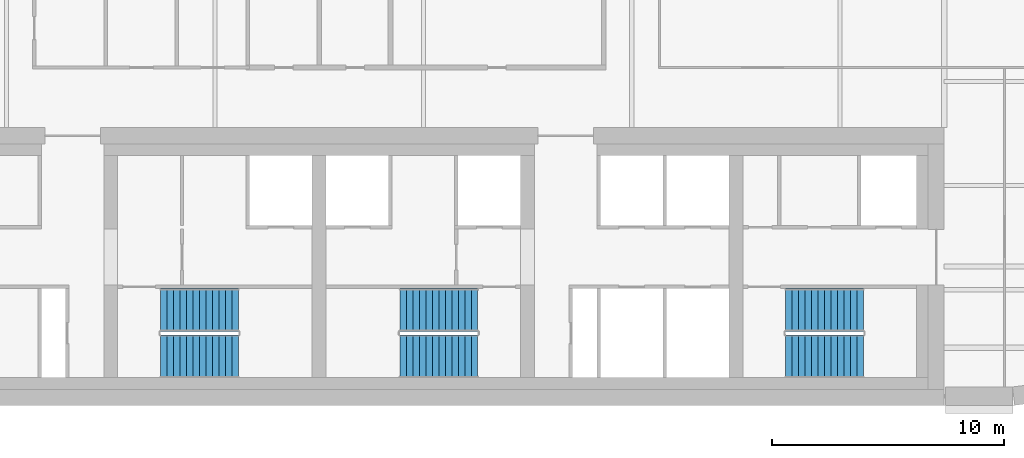
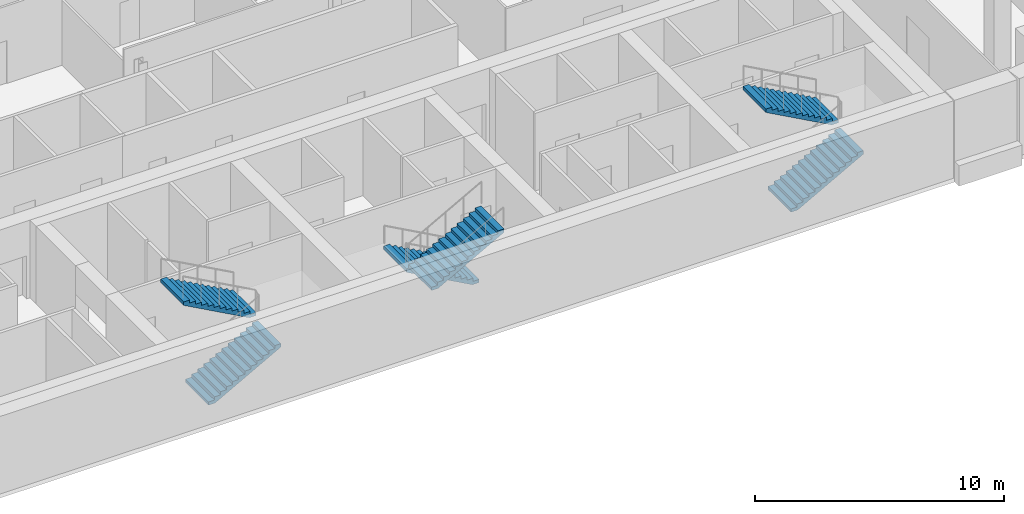
# One storey, part 12 of 16: 6 stair flights, 3 elements without a shape of their own.
"""IFC4 building model written with IfcOpenShell, lengths in metres."""

from ifc_helpers import new_model, si_unit, direction, frame, origin, place, context, subcontext, project, spatial, polyline, outline, extrude, material, type_object, element, aggregate, save


model = new_model("IFC4")

# Units and contexts
model_context = context("Model", 3, precision=1e-05, world=origin(), true_north=direction((0.0, 1.0)))
body_context = subcontext(model_context, "Body", "Model", "MODEL_VIEW")
ifc_project = project(units=[si_unit("LENGTHUNIT", "METRE"), si_unit("AREAUNIT", "SQUARE_METRE"), si_unit("VOLUMEUNIT", "CUBIC_METRE"), si_unit("PLANEANGLEUNIT", "RADIAN"), si_unit("MASSUNIT", "GRAM", prefix="KILO")], contexts=[model_context])

# Site, building, storey
site_placement = place(None, origin())
site = spatial("IfcSite", under=ifc_project, at=site_placement, CompositionType="ELEMENT")
building_placement = place(site_placement, origin())
building = spatial("IfcBuilding", under=site, at=building_placement, Name="Zellij Exchange Tower", CompositionType="ELEMENT")
storey_placement = place(building_placement, frame((0.0, 0.0, 248.5)))
storey = spatial("IfcBuildingStorey", under=building, at=storey_placement, Name="L58", CompositionType="ELEMENT", Elevation=248.5)

# Stair, stair flights
ifc_material = material(Name="Concrete C40/50", Category="concrete")
stair_type = type_object("IfcStairType", Name="CORE-ST exit stair 1850 wide", PredefinedType="HALF_TURN_STAIR", material=ifc_material)
stair_1_placement = place(storey_placement, origin())
stair_1 = element("IfcStair", 1, at=stair_1_placement, inside=storey, type_object=stair_type, Name="L58 exit stair ST2", PredefinedType="HALF_TURN_STAIR")
stair_flight_type = type_object("IfcStairFlightType", Name="CORE-SF flight 1850 riser 153.8 going 280", PredefinedType="STRAIGHT", material=ifc_material)
stair_flight_1_placement = place(storey_placement, frame((-6.85009765625, -11.875, 0.0), z_axis=(0.0, 0.0, 1.0), x_axis=(1.0, 0.0, 0.0)))
stair_flight_1 = element("IfcStairFlight", 2, at=stair_flight_1_placement, type_object=stair_flight_type, Name="ST2 flight 1", NumberOfRisers=13, NumberOfTreads=12, PredefinedType="STRAIGHT", RiserHeight=0.153846154, TreadLength=0.28, context=body_context, shape_type="SweptSolid", body=[
    extrude(outline(polyline([(0.0, 0.0), (0.0, 0.15380859375), (0.280029296875, 0.15380859375), (0.280029296875, 0.3076171875), (0.56005859375, 0.3076171875), (0.56005859375, 0.46142578125), (0.840087890625, 0.46142578125), (0.840087890625, 0.615478515625), (1.1201171875, 0.615478515625), (1.1201171875, 0.769287109375), (1.39990234375, 0.769287109375), (1.39990234375, 0.923095703125), (1.679931640625, 0.923095703125), (1.679931640625, 1.076904296875), (1.9599609375, 1.076904296875), (1.9599609375, 1.230712890625), (2.239990234375, 1.230712890625), (2.239990234375, 1.384521484375), (2.52001953125, 1.384521484375), (2.52001953125, 1.53857421875), (2.800048828125, 1.53857421875), (2.800048828125, 1.6923828125), (3.080078125, 1.6923828125), (3.080078125, 1.84619140625), (3.360107421875, 1.84619140625), (3.360107421875, 2.0), (3.360107421875, 1.675048828125), (0.311279296875, 0.0), (0.0, 0.0)])), frame((0.0, 0.925048828125, 0.0), z_axis=(0.0, -1.0, 0.0), x_axis=(1.0, 0.0, 0.0)), (0.0, 0.0, 1.0), 1.85009765625),
])
stair_flight_2_placement = place(storey_placement, frame((-3.489990234375, -9.875, 2.0), z_axis=(0.0, 0.0, 1.0), x_axis=(-1.0, 0.0, 0.0)))
stair_flight_2 = element("IfcStairFlight", 3, at=stair_flight_2_placement, type_object=stair_flight_type, Name="ST2 flight 2", NumberOfRisers=13, NumberOfTreads=12, PredefinedType="STRAIGHT", RiserHeight=0.153846154, TreadLength=0.28, context=body_context, shape_type="SweptSolid", body=[
    extrude(outline(polyline([(0.0, 0.0), (0.0, 0.15380859375), (0.280029296875, 0.15380859375), (0.280029296875, 0.3076171875), (0.56005859375, 0.3076171875), (0.56005859375, 0.46142578125), (0.840087890625, 0.46142578125), (0.840087890625, 0.615478515625), (1.1201171875, 0.615478515625), (1.1201171875, 0.769287109375), (1.39990234375, 0.769287109375), (1.39990234375, 0.923095703125), (1.679931640625, 0.923095703125), (1.679931640625, 1.076904296875), (1.9599609375, 1.076904296875), (1.9599609375, 1.230712890625), (2.239990234375, 1.230712890625), (2.239990234375, 1.384521484375), (2.52001953125, 1.384521484375), (2.52001953125, 1.53857421875), (2.800048828125, 1.53857421875), (2.800048828125, 1.6923828125), (3.080078125, 1.6923828125), (3.080078125, 1.84619140625), (3.360107421875, 1.84619140625), (3.360107421875, 2.0), (3.360107421875, 1.675048828125), (0.311279296875, 0.0), (0.0, 0.0)])), frame((0.0, 0.925048828125, 0.0), z_axis=(0.0, -1.0, 0.0), x_axis=(1.0, 0.0, 0.0)), (0.0, 0.0, 1.0), 1.85009765625),
])
aggregate(stair_1, [stair_flight_1, stair_flight_2])

stair_2_placement = place(storey_placement, origin())
stair_2 = element("IfcStair", 4, at=stair_2_placement, inside=storey, type_object=stair_type, Name="L58 exit stair ST3", PredefinedType="HALF_TURN_STAIR")
stair_flight_3_placement = place(storey_placement, frame((6.85009765625, -9.875, 0.0), z_axis=(0.0, 0.0, 1.0), x_axis=(-1.0, 0.0, 0.0)))
stair_flight_3 = element("IfcStairFlight", 5, at=stair_flight_3_placement, type_object=stair_flight_type, Name="ST3 flight 1", NumberOfRisers=13, NumberOfTreads=12, PredefinedType="STRAIGHT", RiserHeight=0.153846154, TreadLength=0.28, context=body_context, shape_type="SweptSolid", body=[
    extrude(outline(polyline([(0.0, 0.0), (0.0, 0.15380859375), (0.280029296875, 0.15380859375), (0.280029296875, 0.3076171875), (0.56005859375, 0.3076171875), (0.56005859375, 0.46142578125), (0.840087890625, 0.46142578125), (0.840087890625, 0.615478515625), (1.1201171875, 0.615478515625), (1.1201171875, 0.769287109375), (1.39990234375, 0.769287109375), (1.39990234375, 0.923095703125), (1.679931640625, 0.923095703125), (1.679931640625, 1.076904296875), (1.9599609375, 1.076904296875), (1.9599609375, 1.230712890625), (2.239990234375, 1.230712890625), (2.239990234375, 1.384521484375), (2.52001953125, 1.384521484375), (2.52001953125, 1.53857421875), (2.800048828125, 1.53857421875), (2.800048828125, 1.6923828125), (3.080078125, 1.6923828125), (3.080078125, 1.84619140625), (3.360107421875, 1.84619140625), (3.360107421875, 2.0), (3.360107421875, 1.675048828125), (0.311279296875, 0.0), (0.0, 0.0)])), frame((0.0, 0.925048828125, 0.0), z_axis=(0.0, -1.0, 0.0), x_axis=(1.0, 0.0, 0.0)), (0.0, 0.0, 1.0), 1.85009765625),
])
stair_flight_4_placement = place(storey_placement, frame((3.489990234375, -11.875, 2.0), z_axis=(0.0, 0.0, 1.0), x_axis=(1.0, 0.0, 0.0)))
stair_flight_4 = element("IfcStairFlight", 6, at=stair_flight_4_placement, type_object=stair_flight_type, Name="ST3 flight 2", NumberOfRisers=13, NumberOfTreads=12, PredefinedType="STRAIGHT", RiserHeight=0.153846154, TreadLength=0.28, context=body_context, shape_type="SweptSolid", body=[
    extrude(outline(polyline([(0.0, 0.0), (0.0, 0.15380859375), (0.280029296875, 0.15380859375), (0.280029296875, 0.3076171875), (0.56005859375, 0.3076171875), (0.56005859375, 0.46142578125), (0.840087890625, 0.46142578125), (0.840087890625, 0.615478515625), (1.1201171875, 0.615478515625), (1.1201171875, 0.769287109375), (1.39990234375, 0.769287109375), (1.39990234375, 0.923095703125), (1.679931640625, 0.923095703125), (1.679931640625, 1.076904296875), (1.9599609375, 1.076904296875), (1.9599609375, 1.230712890625), (2.239990234375, 1.230712890625), (2.239990234375, 1.384521484375), (2.52001953125, 1.384521484375), (2.52001953125, 1.53857421875), (2.800048828125, 1.53857421875), (2.800048828125, 1.6923828125), (3.080078125, 1.6923828125), (3.080078125, 1.84619140625), (3.360107421875, 1.84619140625), (3.360107421875, 2.0), (3.360107421875, 1.675048828125), (0.311279296875, 0.0), (0.0, 0.0)])), frame((0.0, 0.925048828125, 0.0), z_axis=(0.0, -1.0, 0.0), x_axis=(1.0, 0.0, 0.0)), (0.0, 0.0, 1.0), 1.85009765625),
])
aggregate(stair_2, [stair_flight_3, stair_flight_4])

stair_3_placement = place(storey_placement, origin())
stair_3 = element("IfcStair", 7, at=stair_3_placement, inside=storey, type_object=stair_type, Name="L58 exit stair ST4", PredefinedType="HALF_TURN_STAIR")
stair_flight_5_placement = place(storey_placement, frame((20.14990234375, -11.875, 0.0), z_axis=(0.0, 0.0, 1.0), x_axis=(1.0, 0.0, 0.0)))
stair_flight_5 = element("IfcStairFlight", 8, at=stair_flight_5_placement, type_object=stair_flight_type, Name="ST4 flight 1", NumberOfRisers=13, NumberOfTreads=12, PredefinedType="STRAIGHT", RiserHeight=0.153846154, TreadLength=0.28, context=body_context, shape_type="SweptSolid", body=[
    extrude(outline(polyline([(0.0, 0.0), (0.0, 0.15380859375), (0.280029296875, 0.15380859375), (0.280029296875, 0.3076171875), (0.56005859375, 0.3076171875), (0.56005859375, 0.46142578125), (0.840087890625, 0.46142578125), (0.840087890625, 0.615478515625), (1.1201171875, 0.615478515625), (1.1201171875, 0.769287109375), (1.39990234375, 0.769287109375), (1.39990234375, 0.923095703125), (1.679931640625, 0.923095703125), (1.679931640625, 1.076904296875), (1.9599609375, 1.076904296875), (1.9599609375, 1.230712890625), (2.239990234375, 1.230712890625), (2.239990234375, 1.384521484375), (2.52001953125, 1.384521484375), (2.52001953125, 1.53857421875), (2.800048828125, 1.53857421875), (2.800048828125, 1.6923828125), (3.080078125, 1.6923828125), (3.080078125, 1.84619140625), (3.360107421875, 1.84619140625), (3.360107421875, 2.0), (3.360107421875, 1.675048828125), (0.311279296875, 0.0), (0.0, 0.0)])), frame((0.0, 0.925048828125, 0.0), z_axis=(0.0, -1.0, 0.0), x_axis=(1.0, 0.0, 0.0)), (0.0, 0.0, 1.0), 1.85009765625),
])
stair_flight_6_placement = place(storey_placement, frame((23.510009765625, -9.875, 2.0), z_axis=(0.0, 0.0, 1.0), x_axis=(-1.0, 0.0, 0.0)))
stair_flight_6 = element("IfcStairFlight", 9, at=stair_flight_6_placement, type_object=stair_flight_type, Name="ST4 flight 2", NumberOfRisers=13, NumberOfTreads=12, PredefinedType="STRAIGHT", RiserHeight=0.153846154, TreadLength=0.28, context=body_context, shape_type="SweptSolid", body=[
    extrude(outline(polyline([(0.0, 0.0), (0.0, 0.15380859375), (0.280029296875, 0.15380859375), (0.280029296875, 0.3076171875), (0.56005859375, 0.3076171875), (0.56005859375, 0.46142578125), (0.840087890625, 0.46142578125), (0.840087890625, 0.615478515625), (1.1201171875, 0.615478515625), (1.1201171875, 0.769287109375), (1.39990234375, 0.769287109375), (1.39990234375, 0.923095703125), (1.679931640625, 0.923095703125), (1.679931640625, 1.076904296875), (1.9599609375, 1.076904296875), (1.9599609375, 1.230712890625), (2.239990234375, 1.230712890625), (2.239990234375, 1.384521484375), (2.52001953125, 1.384521484375), (2.52001953125, 1.53857421875), (2.800048828125, 1.53857421875), (2.800048828125, 1.6923828125), (3.080078125, 1.6923828125), (3.080078125, 1.84619140625), (3.360107421875, 1.84619140625), (3.360107421875, 2.0), (3.360107421875, 1.675048828125), (0.311279296875, 0.0), (0.0, 0.0)])), frame((0.0, 0.925048828125, 0.0), z_axis=(0.0, -1.0, 0.0), x_axis=(1.0, 0.0, 0.0)), (0.0, 0.0, 1.0), 1.85009765625),
])
aggregate(stair_3, [stair_flight_5, stair_flight_6])

save(model, "model.ifc")
